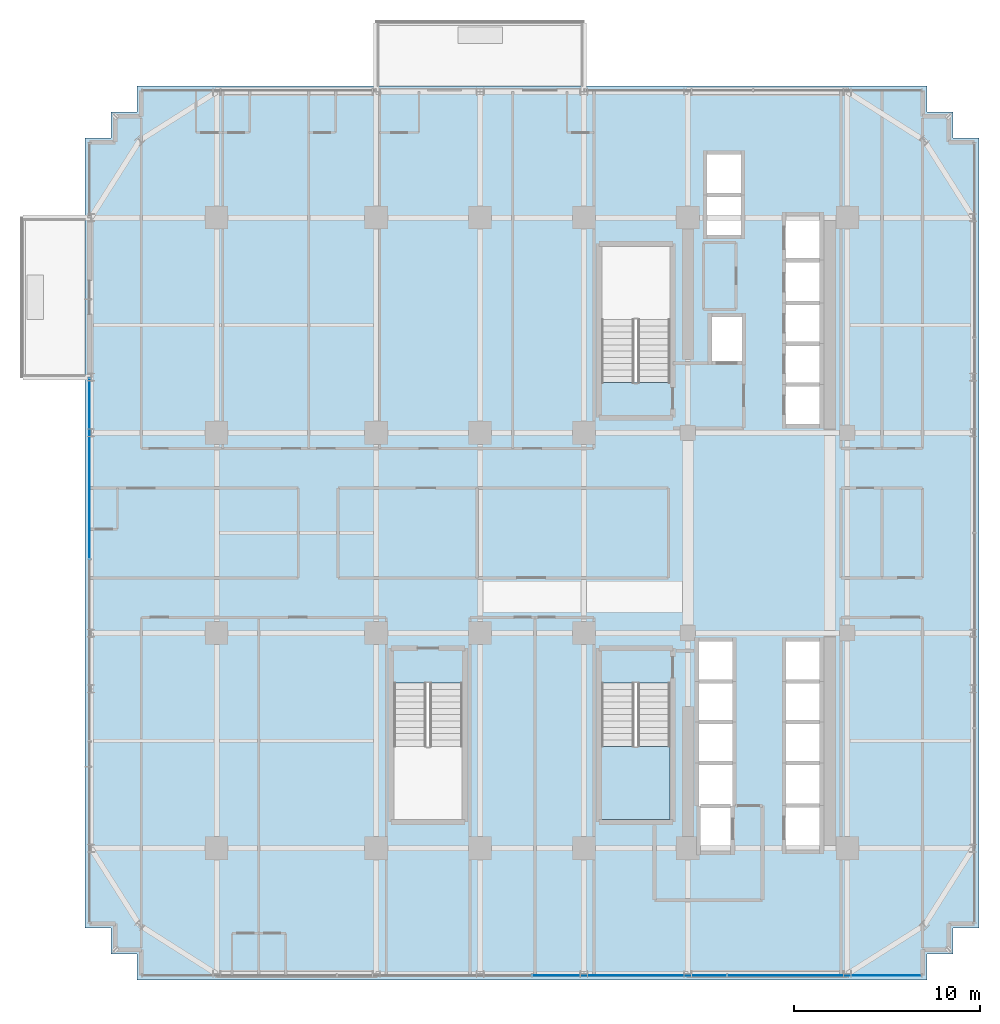
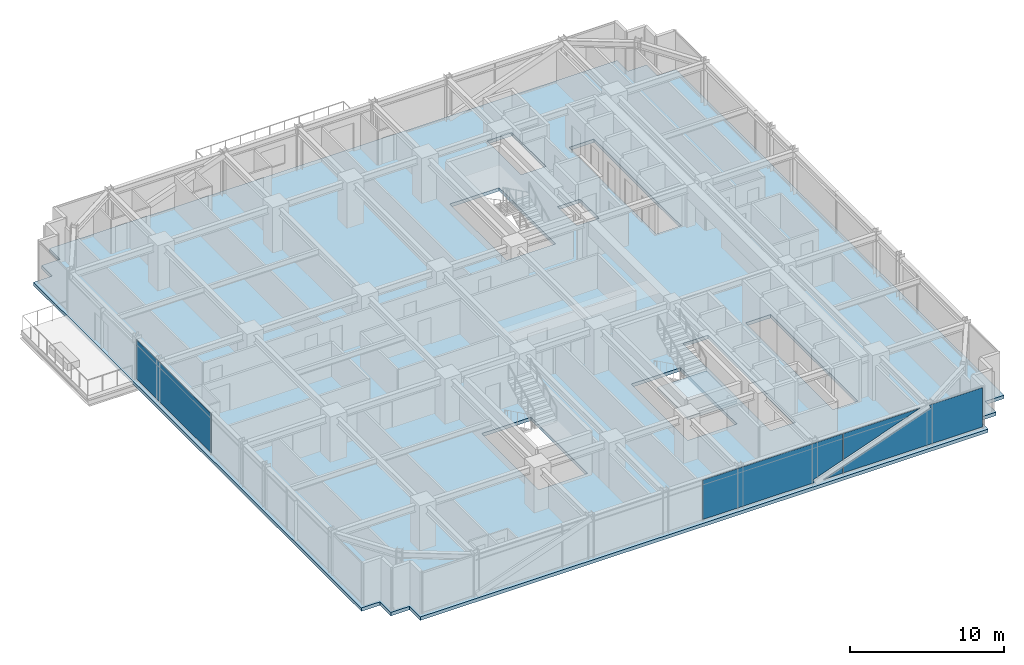
# One storey, part 27 of 40: 3 plates, 2 slabs, 3 elements without a shape of their own.
"""IFC4 building model written with IfcOpenShell, lengths in metres."""

from ifc_helpers import new_model, si_unit, direction, frame, origin, origin_2d, place, context, subcontext, project, spatial, polyline, rectangle, outline, extrude, source, transform, mapped, material, layer, layer_set, type_object, element, aggregate, save


model = new_model("IFC4")

# Units and contexts
model_context = context("Model", 3, precision=1e-05, world=origin(), true_north=direction((0.0, 1.0)))
body_context = subcontext(model_context, "Body", "Model", "MODEL_VIEW")
ifc_project = project(units=[si_unit("LENGTHUNIT", "METRE"), si_unit("AREAUNIT", "SQUARE_METRE"), si_unit("VOLUMEUNIT", "CUBIC_METRE"), si_unit("PLANEANGLEUNIT", "RADIAN"), si_unit("MASSUNIT", "GRAM", prefix="KILO")], contexts=[model_context])

# Site, building, storey
site_placement = place(None, origin())
site = spatial("IfcSite", under=ifc_project, at=site_placement, CompositionType="ELEMENT")
building_placement = place(site_placement, origin())
building = spatial("IfcBuilding", under=site, at=building_placement, Name="Nahalor Promenade Grand Hotel", CompositionType="ELEMENT")
storey_placement = place(building_placement, frame((0.0, 0.0, 91.949951171875)))
storey = spatial("IfcBuildingStorey", under=building, at=storey_placement, Name="L22", CompositionType="ELEMENT", Elevation=91.949951171875)

# Curtain wall, plates
ifc_material_1 = material(Name="Anodised Bronze Aluminium EN AW-6063 T6", Category="aluminium")
curtain_wall_type = type_object("IfcCurtainWallType", Name="CW2 Typical Hotel Flush Bronze Unitised Curtain Wall", PredefinedType="USERDEFINED", material=ifc_material_1)
curtain_wall_1_placement = place(storey_placement, origin())
curtain_wall_1 = element("IfcCurtainWall", 1, at=curtain_wall_1_placement, inside=storey, type_object=curtain_wall_type, Name="L22 Curtain Wall CW-L22-S-1", ObjectType="UNITISED_CURTAIN_WALL", PredefinedType="USERDEFINED")
ifc_material_2 = material(Name="Low-E Laminated Solar Glass", Category="glass")
ifc_layer_1 = layer(ifc_material_2, 0.028076171875)
ifc_layer_set_1 = layer_set([ifc_layer_1], Name="Low-E Laminated Solar Glass")
plate_type = type_object("IfcPlateType", Name="CWP2 Bronze Low-E Vision IGU 28mm", PredefinedType="CURTAIN_PANEL", material=ifc_layer_set_1)
plate_1_placement = place(storey_placement, frame((5.264892578125, -23.860107421875, 0.1298828125), z_axis=(0.0, 0.0, 1.0), x_axis=(1.0, 0.0, 0.0)))
plate_1 = element("IfcPlate", 2, at=plate_1_placement, type_object=plate_type, Name="CW-L22-S-1 Glazing Panel 2-0", PredefinedType="CURTAIN_PANEL", context=body_context, shape_type="SweptSolid", body=[
    extrude(outline(polyline([(-5.232421875, 3.1201171875), (-5.232421875, 0.0), (3.11572265625, 0.0), (3.027099609375, 0.246826171875), (5.232421875, 1.036865234375), (5.232421875, 3.1201171875), (-5.232421875, 3.1201171875)])), frame((0.0, 0.01416015625, 0.0), z_axis=(0.0, -1.0, 0.0), x_axis=(1.0, 0.0, 0.0)), (0.0, 0.0, 1.0), 0.028076171875),
    extrude(outline(polyline([(3.820556640625, 0.0), (5.232421875, 0.0), (5.232421875, 0.505615234375), (3.820556640625, 0.0)])), frame((0.0, 0.01416015625, 0.0), z_axis=(0.0, -1.0, 0.0), x_axis=(1.0, 0.0, 0.0)), (0.0, 0.0, 1.0), 0.028076171875),
])
plate_2_placement = place(storey_placement, frame((15.77880859375, -23.860107421875, 0.1298828125), z_axis=(0.0, 0.0, 1.0), x_axis=(1.0, 0.0, 0.0)))
plate_2 = element("IfcPlate", 3, at=plate_2_placement, type_object=plate_type, Name="CW-L22-S-1 Glazing Panel 3-0", PredefinedType="CURTAIN_PANEL", context=body_context, shape_type="SweptSolid", body=[
    extrude(outline(polyline([(5.21630859375, 0.0), (5.21630859375, 3.1201171875), (1.24072265625, 3.1201171875), (1.3291015625, 2.873046875), (-5.21630859375, 0.52880859375), (-5.21630859375, 0.0), (5.21630859375, 0.0)])), frame((0.0, 0.01416015625, 0.0), z_axis=(0.0, -1.0, 0.0), x_axis=(1.0, 0.0, 0.0)), (0.0, 0.0, 1.0), 0.028076171875),
    extrude(outline(polyline([(0.53564453125, 3.1201171875), (-5.21630859375, 3.1201171875), (-5.21630859375, 1.06005859375), (0.53564453125, 3.1201171875)])), frame((0.0, 0.01416015625, 0.0), z_axis=(0.0, -1.0, 0.0), x_axis=(1.0, 0.0, 0.0)), (0.0, 0.0, 1.0), 0.028076171875),
])
aggregate(curtain_wall_1, [plate_1, plate_2])

# Stair, slab
ifc_material_3 = material(Name="Concrete B-50 (C40/50)", Category="concrete")
stair_type = type_object("IfcStairType", Name="Stair-ST2", PredefinedType="HALF_TURN_STAIR", material=ifc_material_3)
stair_placement = place(storey_placement, origin())
stair = element("IfcStair", 4, at=stair_placement, inside=storey, type_object=stair_type, Name="L22 ST2", PredefinedType="HALF_TURN_STAIR")
ifc_layer_2 = layer(ifc_material_3, 0.2099609375)
ifc_layer_set_2 = layer_set([ifc_layer_2], Name="Concrete B-50 (C40/50)")
slab_type_1 = type_object("IfcSlabType", Name="Landing-ST2", PredefinedType="LANDING", material=ifc_layer_set_2)
slab_1_placement = place(storey_placement, frame((0.0, 0.0, 1.614990234375)))
slab_1 = element("IfcSlab", 5, at=slab_1_placement, type_object=slab_type_1, Name="ST2 landing 1", PredefinedType="LANDING", context=body_context, shape_type="SweptSolid", body=[
    extrude(outline(polyline([(3.75, -11.5), (3.75, -15.449951171875), (7.449951171875, -15.449951171875), (7.449951171875, -11.5), (3.75, -11.5)])), origin(), (0.0, 0.0, 1.0), 0.2099609375),
])
aggregate(stair, [slab_1])

# Slab
ifc_layer_3 = layer(ifc_material_3, 0.27001953125)
ifc_layer_set_3 = layer_set([ifc_layer_3], Name="Concrete B-50 (C40/50)")
slab_type_2 = type_object("IfcSlabType", Name="Slab-TowerZ2-270", PredefinedType="FLOOR", material=ifc_layer_set_3)
slab_2_placement = place(storey_placement, frame((0.0, 0.0, -0.27001953125)))
element("IfcSlab", 6, at=slab_2_placement, inside=storey, type_object=slab_type_2, Name="L22 Suspended Structural Floor Slab", PredefinedType="FLOOR", context=body_context, shape_type="SweptSolid", body=[
    extrude(outline(polyline([(-21.300048828125, -24.10009765625), (21.300048828125, -24.10009765625), (21.300048828125, -22.699951171875), (22.699951171875, -22.699951171875), (22.699951171875, -21.300048828125), (24.10009765625, -21.300048828125), (24.10009765625, 21.300048828125), (22.699951171875, 21.300048828125), (22.699951171875, 22.699951171875), (21.300048828125, 22.699951171875), (21.300048828125, 24.10009765625), (-21.300048828125, 24.10009765625), (-21.300048828125, 22.699951171875), (-22.699951171875, 22.699951171875), (-22.699951171875, 21.300048828125), (-24.10009765625, 21.300048828125), (-24.10009765625, -21.300048828125), (-22.699951171875, -21.300048828125), (-22.699951171875, -22.699951171875), (-21.300048828125, -22.699951171875), (-21.300048828125, -24.10009765625)]), holes=[polyline([(3.75, 8.10009765625), (7.449951171875, 8.10009765625), (7.449951171875, 15.449951171875), (3.75, 15.449951171875), (3.75, 8.10009765625)]), polyline([(3.75, -15.449951171875), (7.449951171875, -15.449951171875), (7.449951171875, -8.10009765625), (3.75, -8.10009765625), (3.75, -15.449951171875)]), polyline([(-7.449951171875, -15.449951171875), (-3.75, -15.449951171875), (-3.75, -8.10009765625), (-7.449951171875, -8.10009765625), (-7.449951171875, -15.449951171875)]), polyline([(13.659912109375, 5.81005859375), (15.5400390625, 5.81005859375), (15.5400390625, 17.139892578125), (13.659912109375, 17.139892578125), (13.659912109375, 5.81005859375)]), polyline([(13.659912109375, -17.139892578125), (15.5400390625, -17.139892578125), (15.5400390625, -5.81005859375), (13.659912109375, -5.81005859375), (13.659912109375, -17.139892578125)]), polyline([(8.9599609375, -17.18994140625), (10.840087890625, -17.18994140625), (10.840087890625, -5.81005859375), (8.9599609375, -5.81005859375), (8.9599609375, -17.18994140625)]), polyline([(9.409912109375, 16.010009765625), (11.2900390625, 16.010009765625), (11.2900390625, 20.43994140625), (9.409912109375, 20.43994140625), (9.409912109375, 16.010009765625)]), polyline([(9.659912109375, 9.2099609375), (11.340087890625, 9.2099609375), (11.340087890625, 11.68994140625), (9.659912109375, 11.68994140625), (9.659912109375, 9.2099609375)])]), origin(), (0.0, 0.0, 1.0), 0.27001953125),
])

# Curtain wall, plate
curtain_wall_2_placement = place(storey_placement, origin())
curtain_wall_2 = element("IfcCurtainWall", 7, at=curtain_wall_2_placement, inside=storey, type_object=curtain_wall_type, Name="L22 Curtain Wall CW-L22-W-1", ObjectType="UNITISED_CURTAIN_WALL", PredefinedType="USERDEFINED")
shared_shape = source(origin(), body_context, "Body", "SweptSolid", [
    extrude(rectangle(XDim=9.722412109375, YDim=0.028076171875, at=origin_2d()), origin(), (0.0, 0.0, 1.0), 3.1201171875),
])
plate_3_placement = place(storey_placement, frame((-23.860107421875, 3.4736328125, 0.1298828125), z_axis=(0.0, 0.0, 1.0), x_axis=(0.0, 1.0, 0.0)))
plate_3 = element("IfcPlate", 8, at=plate_3_placement, type_object=plate_type, Name="CW-L22-W-1 Glazing Panel 2-0", PredefinedType="CURTAIN_PANEL", context=body_context, shape_type="MappedRepresentation", body=[
    mapped(shared_shape, transform((0.0, 0.0, 0.0), scale=1.0)),
])
aggregate(curtain_wall_2, [plate_3])

save(model, "model.ifc")
